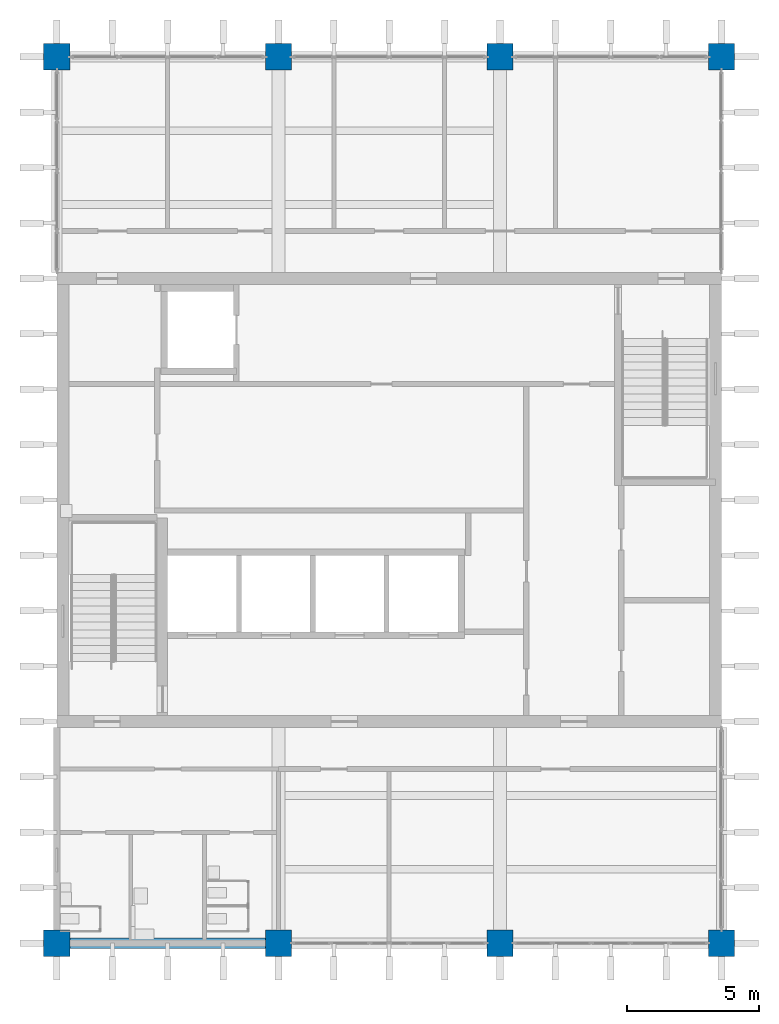
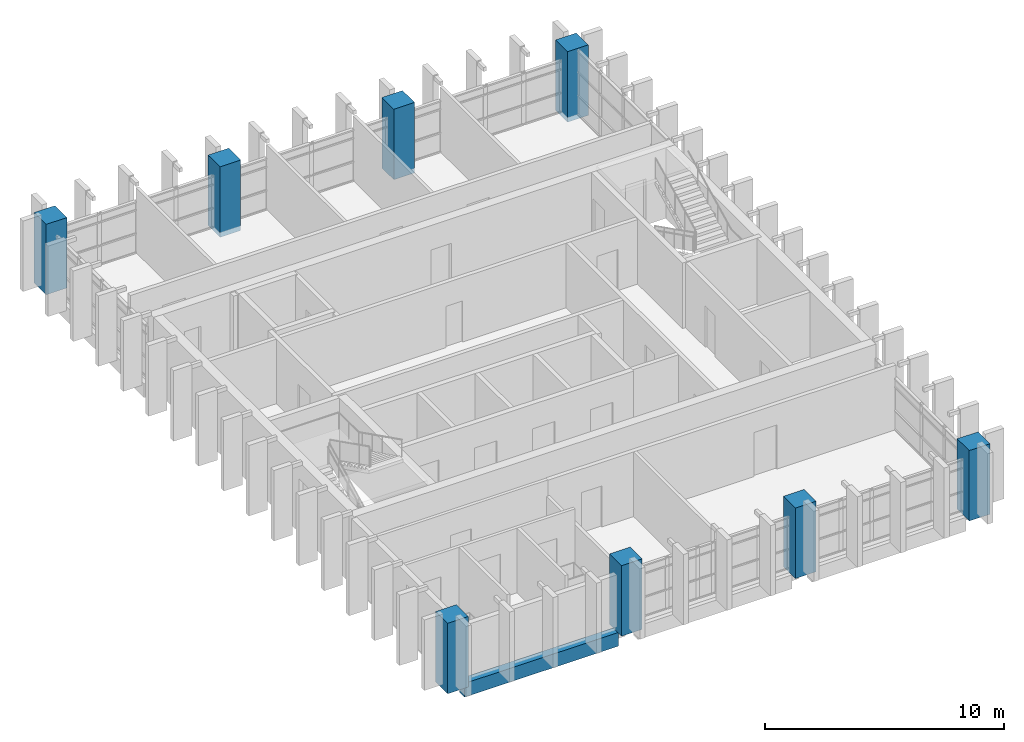
# One storey, part 1 of 11: 8 columns, 1 beam.
"""IFC4 building model written with IfcOpenShell, lengths in metres."""

from ifc_helpers import new_model, si_unit, direction, frame, origin, origin_2d, place, context, subcontext, project, spatial, rectangle, extrude, material, material_profile, profile_set, type_object, element, save


model = new_model("IFC4")

# Units and contexts
model_context = context("Model", 3, precision=1e-05, world=origin(), true_north=direction((0.0, 1.0)))
body_context = subcontext(model_context, "Body", "Model", "MODEL_VIEW")
ifc_project = project(units=[si_unit("LENGTHUNIT", "METRE"), si_unit("AREAUNIT", "SQUARE_METRE"), si_unit("VOLUMEUNIT", "CUBIC_METRE"), si_unit("PLANEANGLEUNIT", "RADIAN"), si_unit("MASSUNIT", "GRAM", prefix="KILO")], contexts=[model_context])

# Site, building, storey
site_placement = place(None, origin())
site = spatial("IfcSite", under=ifc_project, at=site_placement, CompositionType="ELEMENT")
building_placement = place(site_placement, origin())
building = spatial("IfcBuilding", under=site, at=building_placement, Name="Rulbaag Community and Learning Centre", CompositionType="ELEMENT")
storey_placement = place(building_placement, frame((0.0, 0.0, 21.60009765625)))
storey = spatial("IfcBuildingStorey", under=building, at=storey_placement, Name="L05", CompositionType="ELEMENT", Elevation=21.60009765625)

# Columns
ifc_material_1 = material(Name="Concrete M60", Category="concrete")
ifc_material_profile_1 = material_profile(ifc_material_1, rectangle(XDim=1.0, YDim=1.0, at=origin_2d()), Name="RC1000x1000")
ifc_profile_set_1 = profile_set([ifc_material_profile_1], Name="Concrete M60")
column_type = type_object("IfcColumnType", Name="C10 Column 1000x1000 Concrete M60", PredefinedType="COLUMN", material=ifc_profile_set_1)
for number, where, z_axis, x_axis, name in (
    (1, (142.800048828125, 84.0, -0.25), (0.0, 0.0, 1.0), (1.0, 0.0, 0.0), "COL-18K-L05"),
    (2, (142.800048828125, 117.60009765625, -0.25), (0.0, 0.0, 1.0), (1.0, 0.0, 0.0), "COL-18O-L05"),
    (3, (151.199951171875, 84.0, -0.25), (0.0, 0.0, 1.0), (1.0, 0.0, 0.0), "COL-19K-L05"),
    (4, (151.199951171875, 117.60009765625, -0.25), (0.0, 0.0, 1.0), (1.0, 0.0, 0.0), "COL-19O-L05"),
    (5, (159.60009765625, 84.0, -0.25), (0.0, 0.0, 1.0), (1.0, 0.0, 0.0), "COL-20K-L05"),
    (6, (159.60009765625, 117.60009765625, -0.25), (0.0, 0.0, 1.0), (1.0, 0.0, 0.0), "COL-20O-L05"),
    (7, (168.0, 84.0, -0.25), (0.0, 0.0, 1.0), (1.0, 0.0, 0.0), "COL-21K-L05"),
    (8, (168.0, 117.60009765625, -0.25), (0.0, 0.0, 1.0), (1.0, 0.0, 0.0), "COL-21O-L05"),
):
    element("IfcColumn", number, at=place(storey_placement, frame(where, z_axis=z_axis, x_axis=x_axis)), inside=storey, type_object=column_type, Name=name, PredefinedType="COLUMN", context=body_context, shape_type="SweptSolid", body=[
        extrude(rectangle(XDim=1.0, YDim=1.0, at=origin_2d()), origin(), (0.0, 0.0, 1.0), 3.599853515625),
    ])

# Beam
ifc_material_2 = material(Name="Concrete M40", Category="concrete")
ifc_material_profile_2 = material_profile(ifc_material_2, rectangle(XDim=0.39990234375, YDim=0.699951171875, at=origin_2d()), Name="RB400x700")
ifc_profile_set_2 = profile_set([ifc_material_profile_2], Name="Concrete M40")
beam_type = type_object("IfcBeamType", Name="B17 Tower edge beam, lower zone 400x700 Concrete M40", PredefinedType="BEAM", material=ifc_profile_set_2)
beam_placement = place(storey_placement, frame((143.280029296875, 84.0, -0.60009765625), z_axis=(1.0, 0.0, 0.0), x_axis=(0.0, 1.0, 0.0)))
element("IfcBeam", 9, at=beam_placement, inside=storey, type_object=beam_type, Name="BM-L05-18K-19K", PredefinedType="BEAM", context=body_context, shape_type="SweptSolid", body=[
    extrude(rectangle(XDim=0.39990234375, YDim=0.699951171875, at=origin_2d()), origin(), (0.0, 0.0, 1.0), 7.43994140625),
])

save(model, "model.ifc")
